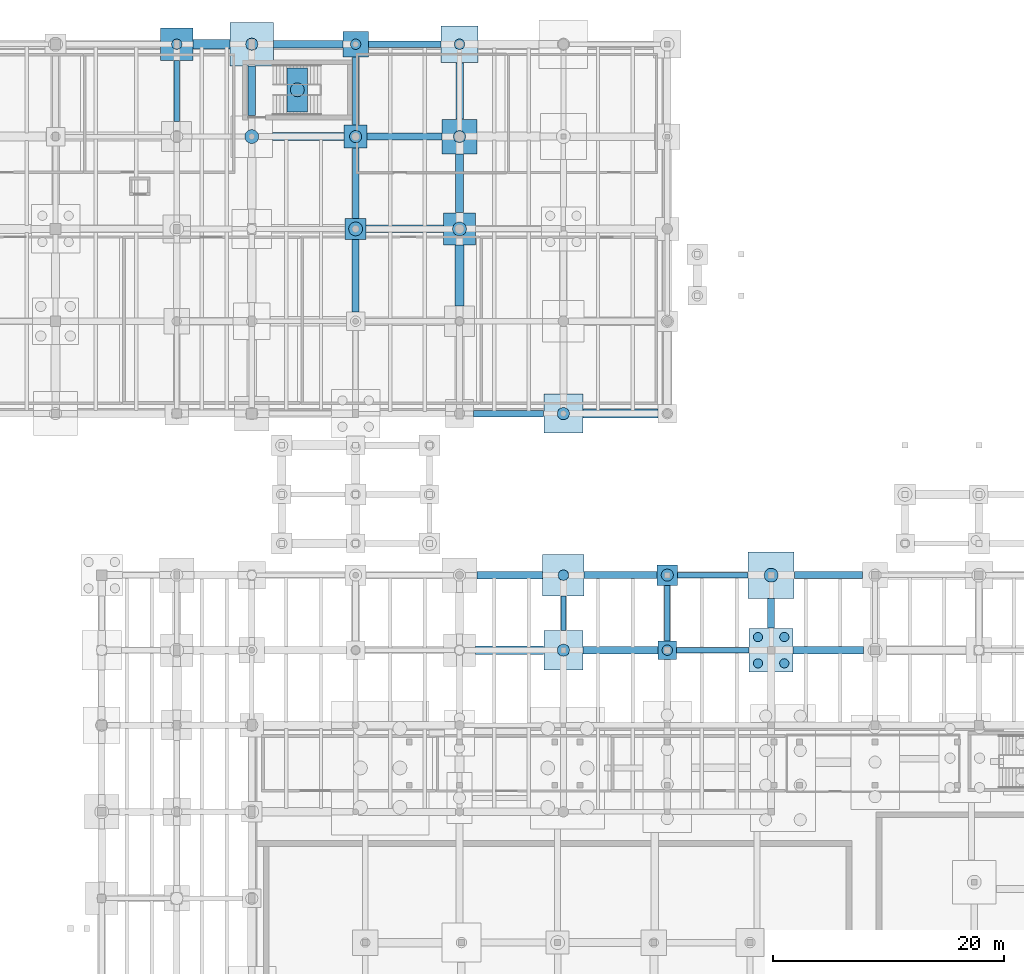
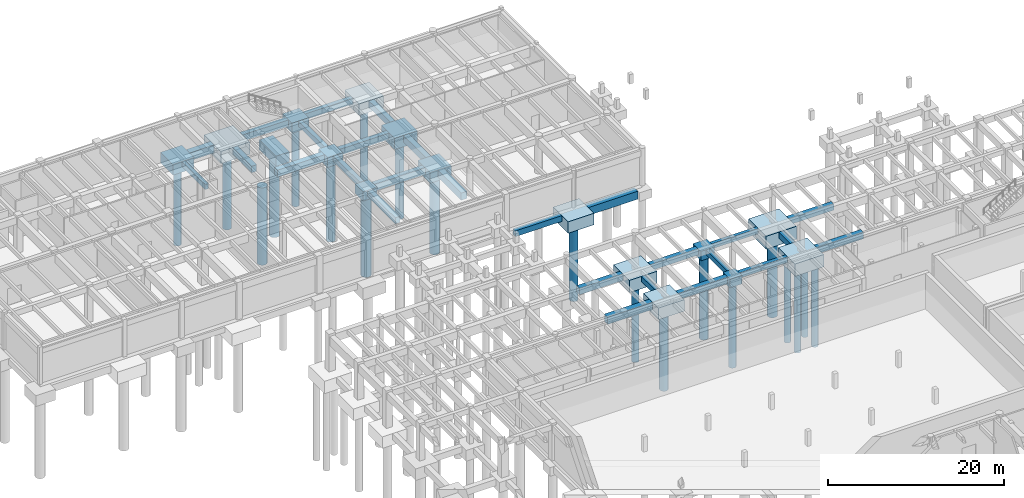
# One storey, part 10 of 36: 43 footings, 20 piles.
"""IFC4 building model written with IfcOpenShell, lengths in metres."""

from ifc_helpers import new_model, si_unit, direction, frame, origin, origin_2d, place, context, subcontext, project, spatial, polyline, circle, outline, extrude, material, material_profile, profile_set, type_object, element, save


model = new_model("IFC4")

# Units and contexts
model_context = context("Model", 3, precision=1e-05, world=origin(), true_north=direction((0.0, 1.0)))
body_context = subcontext(model_context, "Body", "Model", "MODEL_VIEW")
ifc_project = project(units=[si_unit("LENGTHUNIT", "METRE"), si_unit("AREAUNIT", "SQUARE_METRE"), si_unit("VOLUMEUNIT", "CUBIC_METRE"), si_unit("PLANEANGLEUNIT", "RADIAN"), si_unit("MASSUNIT", "GRAM", prefix="KILO"), si_unit("THERMODYNAMICTEMPERATUREUNIT", "KELVIN"), si_unit("POWERUNIT", "WATT")], contexts=[model_context])

# Site, building, storey
site_placement = place(None, origin())
site = spatial("IfcSite", under=ifc_project, at=site_placement, CompositionType="ELEMENT")
building_placement = place(site_placement, origin())
building = spatial("IfcBuilding", under=site, at=building_placement, Name="Tepalcoro Natatorium and Aquatics Centre", CompositionType="ELEMENT")
storey_placement = place(building_placement, frame((0.0, 0.0, -5.199951171875)))
storey = spatial("IfcBuildingStorey", under=building, at=storey_placement, Name="B1", CompositionType="ELEMENT", Elevation=-5.199951171875)

# Footings
ifc_material = material(Name="Concrete C40/50 (fc 40 MPa)", Category="concrete")
footing_type_1 = type_object("IfcFootingType", Name="FB_450x700", PredefinedType="FOOTING_BEAM", material=ifc_material)
footing_1_placement = place(storey_placement, frame((0.0, 0.0, -0.699951171875)))
element("IfcFooting", 1, at=footing_1_placement, inside=storey, type_object=footing_type_1, Name="V1 B1 Foundation Tie Beam X", PredefinedType="FOOTING_BEAM", context=body_context, shape_type="SweptSolid", body=[
    extrude(outline(polyline([(89.905029296875, 71.77490234375), (95.9951171875, 71.77490234375), (95.9951171875, 72.22509765625), (89.905029296875, 72.22509765625), (89.905029296875, 71.77490234375)])), origin(), (0.0, 0.0, 1.0), 0.699951171875),
])
footing_2_placement = place(storey_placement, frame((0.0, 0.0, -0.699951171875)))
element("IfcFooting", 2, at=footing_2_placement, inside=storey, type_object=footing_type_1, Name="V1 B1 Foundation Tie Beam Y", PredefinedType="FOOTING_BEAM", context=body_context, shape_type="SweptSolid", body=[
    extrude(outline(polyline([(80.22509765625, 67.205078125), (80.22509765625, 70.195068359375), (79.77490234375, 70.195068359375), (79.77490234375, 67.205078125), (80.22509765625, 67.205078125)])), origin(), (0.0, 0.0, 1.0), 0.699951171875),
])
footing_3_placement = place(storey_placement, frame((0.0, 0.0, -0.699951171875)))
element("IfcFooting", 3, at=footing_3_placement, inside=storey, type_object=footing_type_1, Name="V1 B1 Foundation Tie Beam Y", PredefinedType="FOOTING_BEAM", context=body_context, shape_type="SweptSolid", body=[
    extrude(outline(polyline([(89.22509765625, 66.304931640625), (89.22509765625, 71.094970703125), (88.77490234375, 71.094970703125), (88.77490234375, 66.304931640625), (89.22509765625, 66.304931640625)])), origin(), (0.0, 0.0, 1.0), 0.699951171875),
])
footing_4_placement = place(storey_placement, frame((0.0, 0.0, -1.16015625)))
element("IfcFooting", 4, at=footing_4_placement, inside=storey, type_object=footing_type_1, Name="V4 B1 Foundation Tie Beam Y", PredefinedType="FOOTING_BEAM", context=body_context, shape_type="SweptSolid", body=[
    extrude(outline(polyline([(46.72509765625, 111.304931640625), (46.72509765625, 116.594970703125), (46.27490234375, 116.594970703125), (46.27490234375, 111.304931640625), (46.72509765625, 111.304931640625)])), origin(), (0.0, 0.0, 1.0), 0.7001953125),
])
footing_type_2 = type_object("IfcFootingType", Name="FB_500x750", PredefinedType="FOOTING_BEAM", material=ifc_material)
footing_5_placement = place(storey_placement, frame((0.0, 0.0, -0.75)))
element("IfcFooting", 5, at=footing_5_placement, inside=storey, type_object=footing_type_2, Name="V1 B1 Foundation Tie Beam X", PredefinedType="FOOTING_BEAM", context=body_context, shape_type="SweptSolid", body=[
    extrude(outline(polyline([(89.804931640625, 65.25), (96.094970703125, 65.25), (96.094970703125, 65.75), (89.804931640625, 65.75), (89.804931640625, 65.25)])), origin(), (0.0, 0.0, 1.0), 0.75),
])
footing_6_placement = place(storey_placement, frame((0.0, 0.0, -1.2099609375)))
element("IfcFooting", 6, at=footing_6_placement, inside=storey, type_object=footing_type_2, Name="V4 B1 Foundation Tie Beam Y", PredefinedType="FOOTING_BEAM", context=body_context, shape_type="SweptSolid", body=[
    extrude(outline(polyline([(62.25, 111.0048828125), (62.25, 116.89501953125), (61.75, 116.89501953125), (61.75, 111.0048828125), (62.25, 111.0048828125)])), origin(), (0.0, 0.0, 1.0), 0.75),
])
footing_type_3 = type_object("IfcFootingType", Name="FB_550x800", PredefinedType="FOOTING_BEAM", material=ifc_material)
footing_7_placement = place(storey_placement, frame((0.0, 0.0, -1.260009765625)))
element("IfcFooting", 7, at=footing_7_placement, inside=storey, type_object=footing_type_3, Name="V4 B1 Foundation Tie Beam X", PredefinedType="FOOTING_BEAM", context=body_context, shape_type="SweptSolid", body=[
    extrude(outline(polyline([(63.10498046875, 117.72509765625), (69.39501953125, 117.72509765625), (69.39501953125, 118.27490234375), (63.10498046875, 118.27490234375), (63.10498046875, 117.72509765625)])), origin(), (0.0, 0.0, 1.0), 0.800048828125),
])
footing_8_placement = place(storey_placement, frame((0.0, 0.0, -1.260009765625)))
element("IfcFooting", 8, at=footing_8_placement, inside=storey, type_object=footing_type_3, Name="V4 B1 Foundation Tie Beam X", PredefinedType="FOOTING_BEAM", context=body_context, shape_type="SweptSolid", body=[
    extrude(outline(polyline([(72.205078125, 85.72509765625), (78.294921875, 85.72509765625), (78.294921875, 86.27490234375), (72.205078125, 86.27490234375), (72.205078125, 85.72509765625)])), origin(), (0.0, 0.0, 1.0), 0.800048828125),
])
footing_9_placement = place(storey_placement, frame((0.0, 0.0, -1.260009765625)))
element("IfcFooting", 9, at=footing_9_placement, inside=storey, type_object=footing_type_3, Name="V4 B1 Foundation Tie Beam Y", PredefinedType="FOOTING_BEAM", context=body_context, shape_type="SweptSolid", body=[
    extrude(outline(polyline([(62.27490234375, 102.905029296875), (62.27490234375, 108.9951171875), (61.72509765625, 108.9951171875), (61.72509765625, 102.905029296875), (62.27490234375, 102.905029296875)])), origin(), (0.0, 0.0, 1.0), 0.800048828125),
])
footing_type_4 = type_object("IfcFootingType", Name="FB_600x850", PredefinedType="FOOTING_BEAM", material=ifc_material)
footing_10_placement = place(storey_placement, frame((0.0, 0.0, -0.85009765625)))
element("IfcFooting", 10, at=footing_10_placement, inside=storey, type_object=footing_type_4, Name="V1 B1 Foundation Tie Beam X", PredefinedType="FOOTING_BEAM", context=body_context, shape_type="SweptSolid", body=[
    extrude(outline(polyline([(81.804931640625, 71.699951171875), (88.094970703125, 71.699951171875), (88.094970703125, 72.300048828125), (81.804931640625, 72.300048828125), (81.804931640625, 71.699951171875)])), origin(), (0.0, 0.0, 1.0), 0.85009765625),
])
footing_11_placement = place(storey_placement, frame((0.0, 0.0, -0.85009765625)))
element("IfcFooting", 11, at=footing_11_placement, inside=storey, type_object=footing_type_4, Name="V1 B1 Foundation Tie Beam X", PredefinedType="FOOTING_BEAM", context=body_context, shape_type="SweptSolid", body=[
    extrude(outline(polyline([(100.0048828125, 71.699951171875), (105.89501953125, 71.699951171875), (105.89501953125, 72.300048828125), (100.0048828125, 72.300048828125), (100.0048828125, 71.699951171875)])), origin(), (0.0, 0.0, 1.0), 0.85009765625),
])
footing_12_placement = place(storey_placement, frame((0.0, 0.0, -0.85009765625)))
element("IfcFooting", 12, at=footing_12_placement, inside=storey, type_object=footing_type_4, Name="V1 B1 Foundation Tie Beam Y", PredefinedType="FOOTING_BEAM", context=body_context, shape_type="SweptSolid", body=[
    extrude(outline(polyline([(98.300048828125, 67.405029296875), (98.300048828125, 69.9951171875), (97.699951171875, 69.9951171875), (97.699951171875, 67.405029296875), (98.300048828125, 67.405029296875)])), origin(), (0.0, 0.0, 1.0), 0.85009765625),
])
footing_13_placement = place(storey_placement, frame((0.0, 0.0, -1.31005859375)))
element("IfcFooting", 13, at=footing_13_placement, inside=storey, type_object=footing_type_4, Name="V4 B1 Foundation Tie Beam X", PredefinedType="FOOTING_BEAM", context=body_context, shape_type="SweptSolid", body=[
    extrude(outline(polyline([(63.0048828125, 109.699951171875), (69.4951171875, 109.699951171875), (69.4951171875, 110.300048828125), (63.0048828125, 110.300048828125), (63.0048828125, 109.699951171875)])), origin(), (0.0, 0.0, 1.0), 0.85009765625),
])
footing_14_placement = place(storey_placement, frame((0.0, 0.0, -1.31005859375)))
element("IfcFooting", 14, at=footing_14_placement, inside=storey, type_object=footing_type_4, Name="V4 B1 Foundation Tie Beam Y", PredefinedType="FOOTING_BEAM", context=body_context, shape_type="SweptSolid", body=[
    extrude(outline(polyline([(62.300048828125, 94.804931640625), (62.300048828125, 101.094970703125), (61.699951171875, 101.094970703125), (61.699951171875, 94.804931640625), (62.300048828125, 94.804931640625)])), origin(), (0.0, 0.0, 1.0), 0.85009765625),
])
footing_type_5 = type_object("IfcFootingType", Name="FB_650x900", PredefinedType="FOOTING_BEAM", material=ifc_material)
footing_15_placement = place(storey_placement, frame((0.0, 0.0, -0.900146484375)))
element("IfcFooting", 15, at=footing_15_placement, inside=storey, type_object=footing_type_5, Name="V1 B1 Foundation Tie Beam X", PredefinedType="FOOTING_BEAM", context=body_context, shape_type="SweptSolid", body=[
    extrude(outline(polyline([(72.5048828125, 71.675048828125), (78.195068359375, 71.675048828125), (78.195068359375, 72.324951171875), (72.5048828125, 72.324951171875), (72.5048828125, 71.675048828125)])), origin(), (0.0, 0.0, 1.0), 0.900146484375),
])
footing_16_placement = place(storey_placement, frame((0.0, 0.0, -0.900146484375)))
element("IfcFooting", 16, at=footing_16_placement, inside=storey, type_object=footing_type_5, Name="V1 B1 Foundation Tie Beam X", PredefinedType="FOOTING_BEAM", context=body_context, shape_type="SweptSolid", body=[
    extrude(outline(polyline([(81.705078125, 65.175048828125), (88.195068359375, 65.175048828125), (88.195068359375, 65.824951171875), (81.705078125, 65.824951171875), (81.705078125, 65.175048828125)])), origin(), (0.0, 0.0, 1.0), 0.900146484375),
])
footing_17_placement = place(storey_placement, frame((0.0, 0.0, -0.900146484375)))
element("IfcFooting", 17, at=footing_17_placement, inside=storey, type_object=footing_type_5, Name="V1 B1 Foundation Tie Beam X", PredefinedType="FOOTING_BEAM", context=body_context, shape_type="SweptSolid", body=[
    extrude(outline(polyline([(99.905029296875, 65.175048828125), (105.9951171875, 65.175048828125), (105.9951171875, 65.824951171875), (99.905029296875, 65.824951171875), (99.905029296875, 65.175048828125)])), origin(), (0.0, 0.0, 1.0), 0.900146484375),
])
footing_18_placement = place(storey_placement, frame((0.0, 0.0, -1.360107421875)))
element("IfcFooting", 18, at=footing_18_placement, inside=storey, type_object=footing_type_5, Name="V4 B1 Foundation Tie Beam X", PredefinedType="FOOTING_BEAM", context=body_context, shape_type="SweptSolid", body=[
    extrude(outline(polyline([(54.905029296875, 117.675048828125), (60.89501953125, 117.675048828125), (60.89501953125, 118.324951171875), (54.905029296875, 118.324951171875), (54.905029296875, 117.675048828125)])), origin(), (0.0, 0.0, 1.0), 0.900146484375),
])
footing_19_placement = place(storey_placement, frame((0.0, 0.0, -1.360107421875)))
element("IfcFooting", 19, at=footing_19_placement, inside=storey, type_object=footing_type_5, Name="V4 B1 Foundation Tie Beam X", PredefinedType="FOOTING_BEAM", context=body_context, shape_type="SweptSolid", body=[
    extrude(outline(polyline([(62.905029296875, 101.675048828125), (69.594970703125, 101.675048828125), (69.594970703125, 102.324951171875), (62.905029296875, 102.324951171875), (62.905029296875, 101.675048828125)])), origin(), (0.0, 0.0, 1.0), 0.900146484375),
])
footing_20_placement = place(storey_placement, frame((0.0, 0.0, -1.360107421875)))
element("IfcFooting", 20, at=footing_20_placement, inside=storey, type_object=footing_type_5, Name="V4 B1 Foundation Tie Beam Y", PredefinedType="FOOTING_BEAM", context=body_context, shape_type="SweptSolid", body=[
    extrude(outline(polyline([(53.324951171875, 111.804931640625), (53.324951171875, 116.094970703125), (52.675048828125, 116.094970703125), (52.675048828125, 111.804931640625), (53.324951171875, 111.804931640625)])), origin(), (0.0, 0.0, 1.0), 0.900146484375),
])
footing_21_placement = place(storey_placement, frame((0.0, 0.0, -1.360107421875)))
element("IfcFooting", 21, at=footing_21_placement, inside=storey, type_object=footing_type_5, Name="V4 B1 Foundation Tie Beam Y", PredefinedType="FOOTING_BEAM", context=body_context, shape_type="SweptSolid", body=[
    extrude(outline(polyline([(71.324951171875, 111.5048828125), (71.324951171875, 116.39501953125), (70.675048828125, 116.39501953125), (70.675048828125, 111.5048828125), (71.324951171875, 111.5048828125)])), origin(), (0.0, 0.0, 1.0), 0.900146484375),
])
footing_type_6 = type_object("IfcFootingType", Name="FB_700x950", PredefinedType="FOOTING_BEAM", material=ifc_material)
footing_22_placement = place(storey_placement, frame((0.0, 0.0, -1.41015625)))
element("IfcFooting", 22, at=footing_22_placement, inside=storey, type_object=footing_type_6, Name="V4 B1 Foundation Tie Beam X", PredefinedType="FOOTING_BEAM", context=body_context, shape_type="SweptSolid", body=[
    extrude(outline(polyline([(54.804931640625, 109.64990234375), (60.9951171875, 109.64990234375), (60.9951171875, 110.35009765625), (54.804931640625, 110.35009765625), (54.804931640625, 109.64990234375)])), origin(), (0.0, 0.0, 1.0), 0.9501953125),
])
footing_23_placement = place(storey_placement, frame((0.0, 0.0, -1.41015625)))
element("IfcFooting", 23, at=footing_23_placement, inside=storey, type_object=footing_type_6, Name="V4 B1 Foundation Tie Beam Y", PredefinedType="FOOTING_BEAM", context=body_context, shape_type="SweptSolid", body=[
    extrude(outline(polyline([(71.35009765625, 103.405029296875), (71.35009765625, 108.4951171875), (70.64990234375, 108.4951171875), (70.64990234375, 103.405029296875), (71.35009765625, 103.405029296875)])), origin(), (0.0, 0.0, 1.0), 0.9501953125),
])
footing_type_7 = type_object("IfcFootingType", Name="FB_750x1000", PredefinedType="FOOTING_BEAM", material=ifc_material)
footing_24_placement = place(storey_placement, frame((0.0, 0.0, -1.0)))
element("IfcFooting", 24, at=footing_24_placement, inside=storey, type_object=footing_type_7, Name="V1 B1 Foundation Tie Beam X", PredefinedType="FOOTING_BEAM", context=body_context, shape_type="SweptSolid", body=[
    extrude(outline(polyline([(72.405029296875, 65.125), (78.294921875, 65.125), (78.294921875, 65.875), (72.405029296875, 65.875), (72.405029296875, 65.125)])), origin(), (0.0, 0.0, 1.0), 1.0),
])
footing_25_placement = place(storey_placement, frame((0.0, 0.0, -1.4599609375)))
element("IfcFooting", 25, at=footing_25_placement, inside=storey, type_object=footing_type_7, Name="V4 B1 Foundation Tie Beam Y", PredefinedType="FOOTING_BEAM", context=body_context, shape_type="SweptSolid", body=[
    extrude(outline(polyline([(71.375, 95.304931640625), (71.375, 100.594970703125), (70.625, 100.594970703125), (70.625, 95.304931640625), (71.375, 95.304931640625)])), origin(), (0.0, 0.0, 1.0), 1.0),
])
footing_type_8 = type_object("IfcFootingType", Name="FB_800x1100", PredefinedType="FOOTING_BEAM", material=ifc_material)
footing_26_placement = place(storey_placement, frame((0.0, 0.0, -1.56005859375)))
element("IfcFooting", 26, at=footing_26_placement, inside=storey, type_object=footing_type_8, Name="V4 B1 Foundation Tie Beam X", PredefinedType="FOOTING_BEAM", context=body_context, shape_type="SweptSolid", body=[
    extrude(outline(polyline([(47.905029296875, 117.60009765625), (51.094970703125, 117.60009765625), (51.094970703125, 118.39990234375), (47.905029296875, 118.39990234375), (47.905029296875, 117.60009765625)])), origin(), (0.0, 0.0, 1.0), 1.10009765625),
])
footing_27_placement = place(storey_placement, frame((0.0, 0.0, -1.56005859375)))
element("IfcFooting", 27, at=footing_27_placement, inside=storey, type_object=footing_type_8, Name="V4 B1 Foundation Tie Beam X", PredefinedType="FOOTING_BEAM", context=body_context, shape_type="SweptSolid", body=[
    extrude(outline(polyline([(81.705078125, 85.60009765625), (88.195068359375, 85.60009765625), (88.195068359375, 86.39990234375), (81.705078125, 86.39990234375), (81.705078125, 85.60009765625)])), origin(), (0.0, 0.0, 1.0), 1.10009765625),
])
footing_type_9 = type_object("IfcFootingType", Name="PC_1600x1600x1200", PredefinedType="PILE_CAP", material=ifc_material)
footing_28_placement = place(storey_placement, frame((0.0, 0.0, -1.199951171875)))
element("IfcFooting", 28, at=footing_28_placement, inside=storey, type_object=footing_type_9, Name="V1 Reinforced Concrete Pile Cap 68", PredefinedType="PILE_CAP", context=body_context, shape_type="SweptSolid", body=[
    extrude(outline(polyline([(88.199951171875, 64.699951171875), (89.800048828125, 64.699951171875), (89.800048828125, 66.300048828125), (88.199951171875, 66.300048828125), (88.199951171875, 64.699951171875)])), origin(), (0.0, 0.0, 1.0), 1.199951171875),
])
footing_type_10 = type_object("IfcFootingType", Name="PC_1800x1800x1300", PredefinedType="PILE_CAP", material=ifc_material)
footing_29_placement = place(storey_placement, frame((0.0, 0.0, -1.300048828125)))
element("IfcFooting", 29, at=footing_29_placement, inside=storey, type_object=footing_type_10, Name="V1 Reinforced Concrete Pile Cap 67", PredefinedType="PILE_CAP", context=body_context, shape_type="SweptSolid", body=[
    extrude(outline(polyline([(88.10009765625, 71.10009765625), (89.89990234375, 71.10009765625), (89.89990234375, 72.89990234375), (88.10009765625, 72.89990234375), (88.10009765625, 71.10009765625)])), origin(), (0.0, 0.0, 1.0), 1.300048828125),
])
footing_30_placement = place(storey_placement, frame((0.0, 0.0, -1.760009765625)))
element("IfcFooting", 30, at=footing_30_placement, inside=storey, type_object=footing_type_10, Name="V4 Reinforced Concrete Pile Cap 208", PredefinedType="PILE_CAP", context=body_context, shape_type="SweptSolid", body=[
    extrude(outline(polyline([(61.10009765625, 101.10009765625), (62.89990234375, 101.10009765625), (62.89990234375, 102.89990234375), (61.10009765625, 102.89990234375), (61.10009765625, 101.10009765625)])), origin(), (0.0, 0.0, 1.0), 1.300048828125),
])
footing_type_11 = type_object("IfcFootingType", Name="PC_1800x3800x1400", PredefinedType="PILE_CAP", material=ifc_material)
footing_31_placement = place(storey_placement, frame((0.0, 0.0, -1.860107421875)))
element("IfcFooting", 31, at=footing_31_placement, inside=storey, type_object=footing_type_11, Name="V4 Reinforced Concrete Pile Cap 204", PredefinedType="PILE_CAP", context=body_context, shape_type="SweptSolid", body=[
    extrude(outline(polyline([(56.050048828125, 112.14990234375), (57.85009765625, 112.14990234375), (57.85009765625, 115.949951171875), (56.050048828125, 115.949951171875), (56.050048828125, 112.14990234375)])), origin(), (0.0, 0.0, 1.0), 1.400146484375),
])
footing_type_12 = type_object("IfcFootingType", Name="PC_2000x2000x1400", PredefinedType="PILE_CAP", material=ifc_material)
footing_32_placement = place(storey_placement, frame((0.0, 0.0, -1.860107421875)))
element("IfcFooting", 32, at=footing_32_placement, inside=storey, type_object=footing_type_12, Name="V4 Reinforced Concrete Pile Cap 207", PredefinedType="PILE_CAP", context=body_context, shape_type="SweptSolid", body=[
    extrude(outline(polyline([(61.0, 109.0), (63.0, 109.0), (63.0, 111.0), (61.0, 111.0), (61.0, 109.0)])), origin(), (0.0, 0.0, 1.0), 1.400146484375),
])
footing_type_13 = type_object("IfcFootingType", Name="PC_2200x2200x1400", PredefinedType="PILE_CAP", material=ifc_material)
footing_33_placement = place(storey_placement, frame((0.0, 0.0, -1.860107421875)))
element("IfcFooting", 33, at=footing_33_placement, inside=storey, type_object=footing_type_13, Name="V4 Reinforced Concrete Pile Cap 206", PredefinedType="PILE_CAP", context=body_context, shape_type="SweptSolid", body=[
    extrude(outline(polyline([(60.89990234375, 116.89990234375), (63.10009765625, 116.89990234375), (63.10009765625, 119.10009765625), (60.89990234375, 119.10009765625), (60.89990234375, 116.89990234375)])), origin(), (0.0, 0.0, 1.0), 1.400146484375),
])
footing_type_14 = type_object("IfcFootingType", Name="PC_2800x2800x1500", PredefinedType="PILE_CAP", material=ifc_material)
footing_34_placement = place(storey_placement, frame((0.0, 0.0, -1.9599609375)))
element("IfcFooting", 34, at=footing_34_placement, inside=storey, type_object=footing_type_14, Name="V4 Reinforced Concrete Pile Cap 194", PredefinedType="PILE_CAP", context=body_context, shape_type="SweptSolid", body=[
    extrude(outline(polyline([(45.10009765625, 116.60009765625), (47.89990234375, 116.60009765625), (47.89990234375, 119.39990234375), (45.10009765625, 119.39990234375), (45.10009765625, 116.60009765625)])), origin(), (0.0, 0.0, 1.0), 1.5),
])
footing_35_placement = place(storey_placement, frame((0.0, 0.0, -1.9599609375)))
element("IfcFooting", 35, at=footing_35_placement, inside=storey, type_object=footing_type_14, Name="V4 Reinforced Concrete Pile Cap 212", PredefinedType="PILE_CAP", context=body_context, shape_type="SweptSolid", body=[
    extrude(outline(polyline([(69.60009765625, 100.60009765625), (72.39990234375, 100.60009765625), (72.39990234375, 103.39990234375), (69.60009765625, 103.39990234375), (69.60009765625, 100.60009765625)])), origin(), (0.0, 0.0, 1.0), 1.5),
])
footing_type_15 = type_object("IfcFootingType", Name="PC_3000x3000x1600", PredefinedType="PILE_CAP", material=ifc_material)
footing_36_placement = place(storey_placement, frame((0.0, 0.0, -2.06005859375)))
element("IfcFooting", 36, at=footing_36_placement, inside=storey, type_object=footing_type_15, Name="V4 Reinforced Concrete Pile Cap 211", PredefinedType="PILE_CAP", context=body_context, shape_type="SweptSolid", body=[
    extrude(outline(polyline([(69.5, 108.5), (72.5, 108.5), (72.5, 111.5), (69.5, 111.5), (69.5, 108.5)])), origin(), (0.0, 0.0, 1.0), 1.60009765625),
])
footing_type_16 = type_object("IfcFootingType", Name="PC_3200x3200x1600", PredefinedType="PILE_CAP", material=ifc_material)
footing_37_placement = place(storey_placement, frame((0.0, 0.0, -2.06005859375)))
element("IfcFooting", 37, at=footing_37_placement, inside=storey, type_object=footing_type_16, Name="V4 Reinforced Concrete Pile Cap 210", PredefinedType="PILE_CAP", context=body_context, shape_type="SweptSolid", body=[
    extrude(outline(polyline([(69.39990234375, 116.39990234375), (72.60009765625, 116.39990234375), (72.60009765625, 119.60009765625), (69.39990234375, 119.60009765625), (69.39990234375, 116.39990234375)])), origin(), (0.0, 0.0, 1.0), 1.60009765625),
])
footing_type_17 = type_object("IfcFootingType", Name="PC_3400x3400x1600", PredefinedType="PILE_CAP", material=ifc_material)
footing_38_placement = place(storey_placement, frame((0.0, 0.0, -1.60009765625)))
element("IfcFooting", 38, at=footing_38_placement, inside=storey, type_object=footing_type_17, Name="V1 Reinforced Concrete Pile Cap 55", PredefinedType="PILE_CAP", context=body_context, shape_type="SweptSolid", body=[
    extrude(outline(polyline([(78.300048828125, 63.800048828125), (81.699951171875, 63.800048828125), (81.699951171875, 67.199951171875), (78.300048828125, 67.199951171875), (78.300048828125, 63.800048828125)])), origin(), (0.0, 0.0, 1.0), 1.60009765625),
])
footing_39_placement = place(storey_placement, frame((0.0, 0.0, -2.06005859375)))
element("IfcFooting", 39, at=footing_39_placement, inside=storey, type_object=footing_type_17, Name="V4 Reinforced Concrete Pile Cap 219", PredefinedType="PILE_CAP", context=body_context, shape_type="SweptSolid", body=[
    extrude(outline(polyline([(78.300048828125, 84.300048828125), (81.699951171875, 84.300048828125), (81.699951171875, 87.699951171875), (78.300048828125, 87.699951171875), (78.300048828125, 84.300048828125)])), origin(), (0.0, 0.0, 1.0), 1.60009765625),
])
footing_type_18 = type_object("IfcFootingType", Name="PC_3600x3600x1700", PredefinedType="PILE_CAP", material=ifc_material)
footing_40_placement = place(storey_placement, frame((0.0, 0.0, -1.699951171875)))
element("IfcFooting", 40, at=footing_40_placement, inside=storey, type_object=footing_type_18, Name="V1 Reinforced Concrete Pile Cap 54", PredefinedType="PILE_CAP", context=body_context, shape_type="SweptSolid", body=[
    extrude(outline(polyline([(78.199951171875, 70.199951171875), (81.800048828125, 70.199951171875), (81.800048828125, 73.800048828125), (78.199951171875, 73.800048828125), (78.199951171875, 70.199951171875)])), origin(), (0.0, 0.0, 1.0), 1.699951171875),
])
footing_type_19 = type_object("IfcFootingType", Name="PC_3800x3800x1700", PredefinedType="PILE_CAP", material=ifc_material)
footing_41_placement = place(storey_placement, frame((0.0, 0.0, -1.699951171875)))
element("IfcFooting", 41, at=footing_41_placement, inside=storey, type_object=footing_type_19, Name="V1 Reinforced Concrete Pile Cap 73", PredefinedType="PILE_CAP", context=body_context, shape_type="SweptSolid", body=[
    extrude(outline(polyline([(96.10009765625, 63.60009765625), (99.89990234375, 63.60009765625), (99.89990234375, 67.39990234375), (96.10009765625, 67.39990234375), (96.10009765625, 63.60009765625)])), origin(), (0.0, 0.0, 1.0), 1.699951171875),
])
footing_42_placement = place(storey_placement, frame((0.0, 0.0, -2.16015625)))
element("IfcFooting", 42, at=footing_42_placement, inside=storey, type_object=footing_type_19, Name="V4 Reinforced Concrete Pile Cap 199", PredefinedType="PILE_CAP", context=body_context, shape_type="SweptSolid", body=[
    extrude(outline(polyline([(51.10009765625, 116.10009765625), (54.89990234375, 116.10009765625), (54.89990234375, 119.89990234375), (51.10009765625, 119.89990234375), (51.10009765625, 116.10009765625)])), origin(), (0.0, 0.0, 1.0), 1.7001953125),
])
footing_type_20 = type_object("IfcFootingType", Name="PC_4000x4000x1800", PredefinedType="PILE_CAP", material=ifc_material)
footing_43_placement = place(storey_placement, frame((0.0, 0.0, -1.800048828125)))
element("IfcFooting", 43, at=footing_43_placement, inside=storey, type_object=footing_type_20, Name="V1 Reinforced Concrete Pile Cap 72", PredefinedType="PILE_CAP", context=body_context, shape_type="SweptSolid", body=[
    extrude(outline(polyline([(96.0, 70.0), (100.0, 70.0), (100.0, 74.0), (96.0, 74.0), (96.0, 70.0)])), origin(), (0.0, 0.0, 1.0), 1.800048828125),
])

# Piles
ifc_material_profile_1 = material_profile(ifc_material, circle(Radius=0.52490234375, at=origin_2d()), Name="PILE_D1050")
ifc_profile_set_1 = profile_set([ifc_material_profile_1], Name="Concrete C40/50 (fc 40 MPa)")
pile_type_1 = type_object("IfcPileType", Name="PILE_D1050", PredefinedType="BORED", material=ifc_profile_set_1)
pile_1_placement = place(storey_placement, frame((80.0, 65.5, -1.5), z_axis=(0.0, 0.0, -1.0), x_axis=(1.0, 0.0, 0.0)))
element("IfcPile", 44, at=pile_1_placement, inside=storey, type_object=pile_type_1, Name="Bored Pile PILE_D1050 under PC_V1_0054", PredefinedType="BORED", context=body_context, shape_type="SweptSolid", body=[
    extrude(circle(Radius=0.52490234375, at=origin_2d()), origin(), (0.0, 0.0, 1.0), 11.300048828125),
])
pile_2_placement = place(storey_placement, frame((89.0, 72.0, -1.199951171875), z_axis=(0.0, 0.0, -1.0), x_axis=(1.0, 0.0, 0.0)))
element("IfcPile", 45, at=pile_2_placement, inside=storey, type_object=pile_type_1, Name="Bored Pile PILE_D1050 under PC_V1_0066", PredefinedType="BORED", context=body_context, shape_type="SweptSolid", body=[
    extrude(circle(Radius=0.52490234375, at=origin_2d()), origin(), (0.0, 0.0, 1.0), 11.60009765625),
])
pile_3_placement = place(storey_placement, frame((53.0, 118.0, -2.06005859375), z_axis=(0.0, 0.0, -1.0), x_axis=(1.0, 0.0, 0.0)))
element("IfcPile", 46, at=pile_3_placement, inside=storey, type_object=pile_type_1, Name="Bored Pile PILE_D1050 under PC_V4_0198", PredefinedType="BORED", context=body_context, shape_type="SweptSolid", body=[
    extrude(circle(Radius=0.52490234375, at=origin_2d()), origin(), (0.0, 0.0, 1.0), 10.739990234375),
])
pile_4_placement = place(storey_placement, frame((62.0, 110.0, -1.760009765625), z_axis=(0.0, 0.0, -1.0), x_axis=(1.0, 0.0, 0.0)))
element("IfcPile", 47, at=pile_4_placement, inside=storey, type_object=pile_type_1, Name="Bored Pile PILE_D1050 under PC_V4_0206", PredefinedType="BORED", context=body_context, shape_type="SweptSolid", body=[
    extrude(circle(Radius=0.52490234375, at=origin_2d()), origin(), (0.0, 0.0, 1.0), 11.0400390625),
])
for number, where, z_axis, x_axis, name in (
    (48, (71.0, 110.0, -1.9599609375), (0.0, 0.0, -1.0), (1.0, 0.0, 0.0), "Bored Pile PILE_D1050 under PC_V4_0210"),
    (49, (80.0, 86.0, -1.9599609375), (0.0, 0.0, -1.0), (1.0, 0.0, 0.0), "Bored Pile PILE_D1050 under PC_V4_0218"),
):
    element("IfcPile", number, at=place(storey_placement, frame(where, z_axis=z_axis, x_axis=x_axis)), inside=storey, type_object=pile_type_1, Name=name, PredefinedType="BORED", context=body_context, shape_type="SweptSolid", body=[
        extrude(circle(Radius=0.52490234375, at=origin_2d()), origin(), (0.0, 0.0, 1.0), 10.840087890625),
    ])
ifc_material_profile_2 = material_profile(ifc_material, circle(Radius=0.60009765625, at=origin_2d()), Name="PILE_D1200")
ifc_profile_set_2 = profile_set([ifc_material_profile_2], Name="Concrete C40/50 (fc 40 MPa)")
pile_type_2 = type_object("IfcPileType", Name="PILE_D1200", PredefinedType="BORED", material=ifc_profile_set_2)
pile_5_placement = place(storey_placement, frame((98.0, 72.0, -1.699951171875), z_axis=(0.0, 0.0, -1.0), x_axis=(1.0, 0.0, 0.0)))
element("IfcPile", 50, at=pile_5_placement, inside=storey, type_object=pile_type_2, Name="Bored Pile PILE_D1200 under PC_V1_0071", PredefinedType="BORED", context=body_context, shape_type="SweptSolid", body=[
    extrude(circle(Radius=0.60009765625, at=origin_2d()), origin(), (0.0, 0.0, 1.0), 11.10009765625),
])
pile_6_placement = place(storey_placement, frame((53.0, 110.0, -2.06005859375), z_axis=(0.0, 0.0, -1.0), x_axis=(1.0, 0.0, 0.0)))
element("IfcPile", 51, at=pile_6_placement, inside=storey, type_object=pile_type_2, Name="Bored Pile PILE_D1200 under PC_V4_0199", PredefinedType="BORED", context=body_context, shape_type="SweptSolid", body=[
    extrude(circle(Radius=0.60009765625, at=origin_2d()), origin(), (0.0, 0.0, 1.0), 10.739990234375),
])
pile_7_placement = place(storey_placement, frame((56.949951171875, 114.050048828125, -1.760009765625), z_axis=(0.0, 0.0, -1.0), x_axis=(1.0, 0.0, 0.0)))
element("IfcPile", 52, at=pile_7_placement, inside=storey, type_object=pile_type_2, Name="Bored Pile PILE_D1200 under PC_V4_0203", PredefinedType="BORED", context=body_context, shape_type="SweptSolid", body=[
    extrude(circle(Radius=0.60009765625, at=origin_2d()), origin(), (0.0, 0.0, 1.0), 11.0400390625),
])
pile_8_placement = place(storey_placement, frame((62.0, 102.0, -1.66015625), z_axis=(0.0, 0.0, -1.0), x_axis=(1.0, 0.0, 0.0)))
element("IfcPile", 53, at=pile_8_placement, inside=storey, type_object=pile_type_2, Name="Bored Pile PILE_D1200 under PC_V4_0207", PredefinedType="BORED", context=body_context, shape_type="SweptSolid", body=[
    extrude(circle(Radius=0.60009765625, at=origin_2d()), origin(), (0.0, 0.0, 1.0), 11.139892578125),
])
pile_9_placement = place(storey_placement, frame((71.0, 102.0, -1.860107421875), z_axis=(0.0, 0.0, -1.0), x_axis=(1.0, 0.0, 0.0)))
element("IfcPile", 54, at=pile_9_placement, inside=storey, type_object=pile_type_2, Name="Bored Pile PILE_D1200 under PC_V4_0211", PredefinedType="BORED", context=body_context, shape_type="SweptSolid", body=[
    extrude(circle(Radius=0.60009765625, at=origin_2d()), origin(), (0.0, 0.0, 1.0), 10.93994140625),
])
ifc_material_profile_3 = material_profile(ifc_material, circle(Radius=0.39990234375, at=origin_2d()), Name="PILE_D800")
ifc_profile_set_3 = profile_set([ifc_material_profile_3], Name="Concrete C40/50 (fc 40 MPa)")
pile_type_3 = type_object("IfcPileType", Name="PILE_D800", PredefinedType="BORED", material=ifc_profile_set_3)
for number, where, z_axis, x_axis, name in (
    (55, (96.860107421875, 64.360107421875, -1.60009765625), (0.0, 0.0, -1.0), (1.0, 0.0, 0.0), "Bored Pile PILE_D800 under PC_V1_0072"),
    (56, (96.860107421875, 66.639892578125, -1.60009765625), (0.0, 0.0, -1.0), (1.0, 0.0, 0.0), "Bored Pile PILE_D800 under PC_V1_0072"),
    (57, (99.139892578125, 64.360107421875, -1.60009765625), (0.0, 0.0, -1.0), (1.0, 0.0, 0.0), "Bored Pile PILE_D800 under PC_V1_0072"),
    (58, (99.139892578125, 66.639892578125, -1.60009765625), (0.0, 0.0, -1.0), (1.0, 0.0, 0.0), "Bored Pile PILE_D800 under PC_V1_0072"),
):
    element("IfcPile", number, at=place(storey_placement, frame(where, z_axis=z_axis, x_axis=x_axis)), inside=storey, type_object=pile_type_3, Name=name, PredefinedType="BORED", context=body_context, shape_type="SweptSolid", body=[
        extrude(circle(Radius=0.39990234375, at=origin_2d()), origin(), (0.0, 0.0, 1.0), 11.199951171875),
    ])
ifc_material_profile_4 = material_profile(ifc_material, circle(Radius=0.449951171875, at=origin_2d()), Name="PILE_D900")
ifc_profile_set_4 = profile_set([ifc_material_profile_4], Name="Concrete C40/50 (fc 40 MPa)")
pile_type_4 = type_object("IfcPileType", Name="PILE_D900", PredefinedType="BORED", material=ifc_profile_set_4)
pile_10_placement = place(storey_placement, frame((80.0, 72.0, -1.60009765625), z_axis=(0.0, 0.0, -1.0), x_axis=(1.0, 0.0, 0.0)))
element("IfcPile", 59, at=pile_10_placement, inside=storey, type_object=pile_type_4, Name="Bored Pile PILE_D900 under PC_V1_0053", PredefinedType="BORED", context=body_context, shape_type="SweptSolid", body=[
    extrude(circle(Radius=0.449951171875, at=origin_2d()), origin(), (0.0, 0.0, 1.0), 11.199951171875),
])
pile_11_placement = place(storey_placement, frame((89.0, 65.5, -1.10009765625), z_axis=(0.0, 0.0, -1.0), x_axis=(1.0, 0.0, 0.0)))
element("IfcPile", 60, at=pile_11_placement, inside=storey, type_object=pile_type_4, Name="Bored Pile PILE_D900 under PC_V1_0067", PredefinedType="BORED", context=body_context, shape_type="SweptSolid", body=[
    extrude(circle(Radius=0.449951171875, at=origin_2d()), origin(), (0.0, 0.0, 1.0), 11.699951171875),
])
pile_12_placement = place(storey_placement, frame((46.5, 118.0, -1.860107421875), z_axis=(0.0, 0.0, -1.0), x_axis=(1.0, 0.0, 0.0)))
element("IfcPile", 61, at=pile_12_placement, inside=storey, type_object=pile_type_4, Name="Bored Pile PILE_D900 under PC_V4_0193", PredefinedType="BORED", context=body_context, shape_type="SweptSolid", body=[
    extrude(circle(Radius=0.449951171875, at=origin_2d()), origin(), (0.0, 0.0, 1.0), 10.93994140625),
])
pile_13_placement = place(storey_placement, frame((62.0, 118.0, -1.760009765625), z_axis=(0.0, 0.0, -1.0), x_axis=(1.0, 0.0, 0.0)))
element("IfcPile", 62, at=pile_13_placement, inside=storey, type_object=pile_type_4, Name="Bored Pile PILE_D900 under PC_V4_0205", PredefinedType="BORED", context=body_context, shape_type="SweptSolid", body=[
    extrude(circle(Radius=0.449951171875, at=origin_2d()), origin(), (0.0, 0.0, 1.0), 11.0400390625),
])
pile_14_placement = place(storey_placement, frame((71.0, 118.0, -1.9599609375), z_axis=(0.0, 0.0, -1.0), x_axis=(1.0, 0.0, 0.0)))
element("IfcPile", 63, at=pile_14_placement, inside=storey, type_object=pile_type_4, Name="Bored Pile PILE_D900 under PC_V4_0209", PredefinedType="BORED", context=body_context, shape_type="SweptSolid", body=[
    extrude(circle(Radius=0.449951171875, at=origin_2d()), origin(), (0.0, 0.0, 1.0), 10.840087890625),
])

save(model, "model.ifc")
